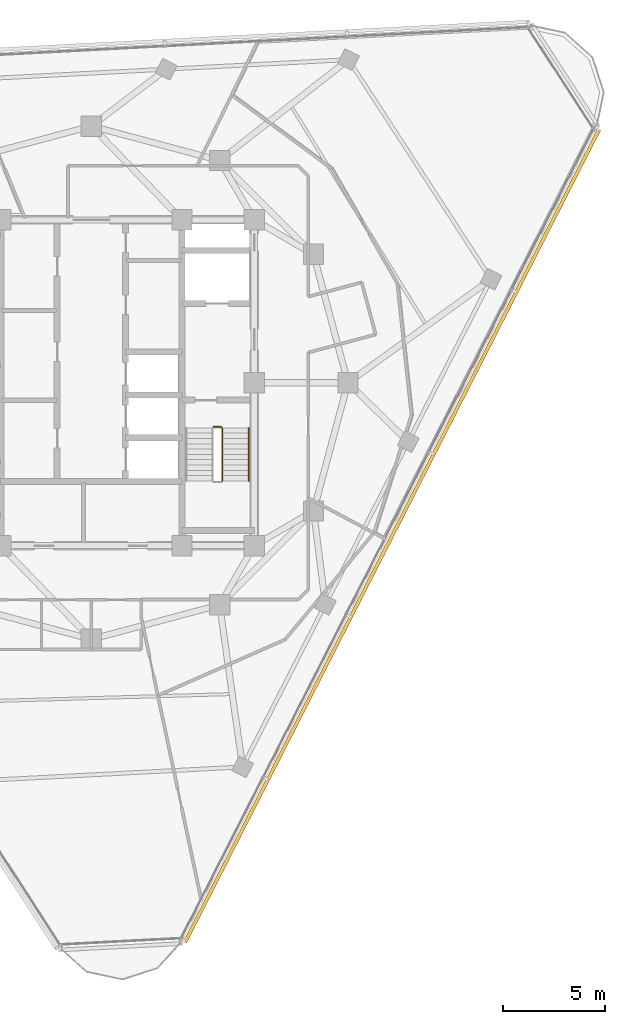
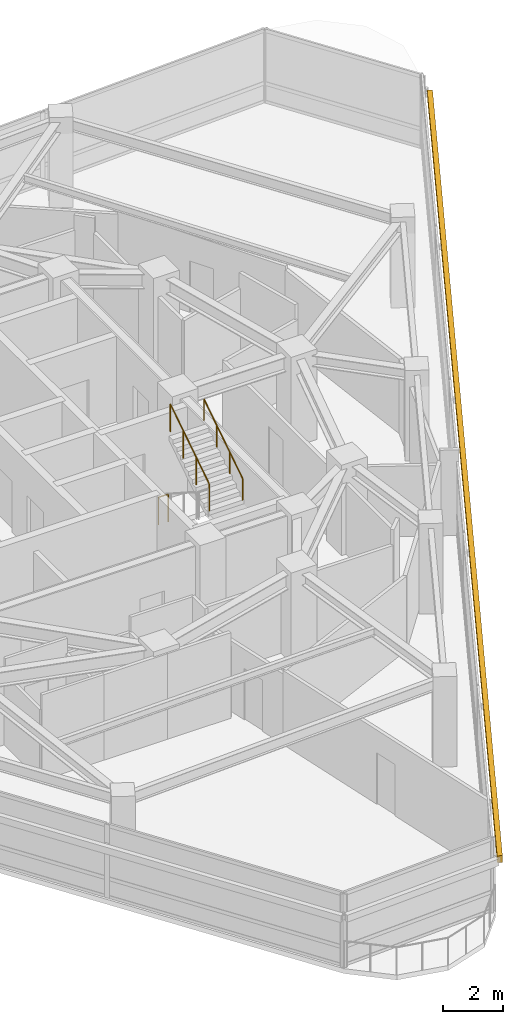
# One storey, part 13 of 15: 3 railings, 1 shading device.
"""IFC4 building model written with IfcOpenShell, lengths in metres."""

import ifcopenshell
import ifcopenshell.guid

model = None  # the IFC model being written
_history = None  # IfcOwnerHistory: only IFC2X3 demands one
_inside = {}  # id of a spatial element -> (the spatial element, [elements in it])
_under = {}  # id of a project, library or spatial element -> (it, [spatial elements below it])
_declared = {}  # id of a project -> (the project, [libraries it declares])
_typed = {}  # id of a type object -> (the type object, [elements of that type])
_made_of = {}  # id of a material, layer set ... -> (it, [elements and type objects made of it])


def new_model(schema):
    """Start an empty IFC model of exactly this schema.

    Asked for "IFC4X3", IfcOpenShell would pick the latest addendum, in which some entities
    have other attributes; the version numbers below select the first issue.
    IFC2X3 requires an IfcOwnerHistory on every rooted entity: one is made here for all.
    """
    global model, _history
    if schema == "IFC4X3":
        model = ifcopenshell.file(schema_version=(4, 3, 0, 0))
    else:
        model = ifcopenshell.file(schema=schema)
    _inside.clear()
    _under.clear()
    _declared.clear()
    _typed.clear()
    _made_of.clear()
    _history = None
    if model.schema == "IFC2X3":
        org = make("IfcOrganization", Name="unknown")
        user = make(
            "IfcPersonAndOrganization",
            ThePerson=make("IfcPerson", FamilyName="unknown"),
            TheOrganization=org,
        )
        app = make(
            "IfcApplication",
            ApplicationDeveloper=org,
            Version="unknown",
            ApplicationFullName="unknown",
            ApplicationIdentifier="unknown",
        )
        _history = make(
            "IfcOwnerHistory",
            OwningUser=user,
            OwningApplication=app,
            ChangeAction="ADDED",
            CreationDate=0,
        )
    return model


def make(cls, **values):
    """One entity of the class cls with the attributes given. An attribute that is None is left unset."""
    return model.create_entity(
        cls, **{name: value for name, value in values.items() if value is not None}
    )


def rooted(cls, **values):
    """An entity with a GlobalId (a new one), such as an element, a storey or a relation."""
    return make(cls, GlobalId=ifcopenshell.guid.new(), OwnerHistory=_history, **values)


def si_unit(unit_type, name, prefix=None):
    """IfcSIUnit, for example si_unit("LENGTHUNIT", "METRE", prefix="MILLI")."""
    return make("IfcSIUnit", UnitType=unit_type, Prefix=prefix, Name=name)


def assignment(units):
    """IfcUnitAssignment: the units of a project."""
    return None if units is None else make("IfcUnitAssignment", Units=units)


def point(xyz):
    """IfcCartesianPoint."""
    return None if xyz is None else make("IfcCartesianPoint", Coordinates=xyz)


def direction(xyz):
    """IfcDirection."""
    return None if xyz is None else make("IfcDirection", DirectionRatios=xyz)


def frame(location, z_axis=None, x_axis=None):
    """IfcAxis2Placement3D, a coordinate frame: its origin and axes. An axis left out is left unset."""
    return make(
        "IfcAxis2Placement3D",
        Location=point(location),
        Axis=direction(z_axis),
        RefDirection=direction(x_axis),
    )


def frame_2d(location, x_axis=None):
    """IfcAxis2Placement2D, a coordinate frame in the plane: its origin and x axis."""
    return make(
        "IfcAxis2Placement2D", Location=point(location), RefDirection=direction(x_axis)
    )


def origin():
    """The frame at (0, 0, 0) with its axes left unset."""
    return frame((0.0, 0.0, 0.0))


def origin_2d():
    """The frame at (0, 0) in the plane with its x axis left unset."""
    return frame_2d((0.0, 0.0))


def place(relative_to, where):
    """IfcLocalPlacement: puts the frame where relative to a parent placement (None: the world)."""
    return make(
        "IfcLocalPlacement", PlacementRelTo=relative_to, RelativePlacement=where
    )


def context(
    kind, dimensions, precision=None, world=None, true_north=None, identifier=None
):
    """IfcGeometricRepresentationContext, for example the 3D "Model" context."""
    return make(
        "IfcGeometricRepresentationContext",
        ContextIdentifier=identifier,
        ContextType=kind,
        CoordinateSpaceDimension=dimensions,
        Precision=precision,
        WorldCoordinateSystem=world,
        TrueNorth=true_north,
    )


def subcontext(parent, identifier, kind, view, scale=None):
    """IfcGeometricRepresentationSubContext, for example "Body" below "Model"."""
    return make(
        "IfcGeometricRepresentationSubContext",
        ContextIdentifier=identifier,
        ContextType=kind,
        ParentContext=parent,
        TargetScale=scale,
        TargetView=view,
    )


def project(units=None, contexts=None):
    """IfcProject with its units and contexts."""
    return rooted(
        "IfcProject",
        Name="project",
        RepresentationContexts=contexts,
        UnitsInContext=assignment(units),
    )


def spatial(cls, under=None, at=None, **own):
    """A site, building, storey or space (cls), placed at a placement, below another one or the project."""
    s = rooted(cls, ObjectPlacement=at, **own)
    if under is not None:
        _under.setdefault(under.id(), (under, []))[1].append(s)
    return s


def profile(cls, at=None, kind="AREA", **sizes):
    """A parametric profile (cls). Its sizes go by their IFC names, for example OverallWidth=200.0."""
    return make(cls, ProfileType=kind, Position=at, **sizes)


def rectangle(**sizes):
    """IfcRectangleProfileDef."""
    return profile("IfcRectangleProfileDef", **sizes)


def circle(**sizes):
    """IfcCircleProfileDef."""
    return profile("IfcCircleProfileDef", **sizes)


def extrude(swept, where, along, depth):
    """IfcExtrudedAreaSolid: the profile swept, set in the frame where, extruded along a direction by depth."""
    return make(
        "IfcExtrudedAreaSolid",
        SweptArea=swept,
        Position=where,
        ExtrudedDirection=direction(along),
        Depth=depth,
    )


def shape(context_of_items, identifier, shape_type, items):
    """IfcShapeRepresentation: the items that make up one representation, for example the "Body"."""
    return make(
        "IfcShapeRepresentation",
        ContextOfItems=context_of_items,
        RepresentationIdentifier=identifier,
        RepresentationType=shape_type,
        Items=items,
    )


def material(Name=None, Category=None):
    """IfcMaterial."""
    return make("IfcMaterial", Name=Name, Category=Category)


def layer(
    of_material, thickness, ventilated=None, Name=None, Category=None, Priority=None
):
    """IfcMaterialLayer: one layer of a wall or slab, of a material (None: an air gap)."""
    return make(
        "IfcMaterialLayer",
        Material=of_material,
        LayerThickness=thickness,
        IsVentilated=ventilated,
        Name=Name,
        Category=Category,
        Priority=Priority,
    )


def layer_set(layers, Name=None):
    """IfcMaterialLayerSet."""
    return make("IfcMaterialLayerSet", MaterialLayers=layers, LayerSetName=Name)


def made_of(thing, what):
    """Note that an element or type object is made of a material, layer set ...; save() writes the relation."""
    if what is not None:
        _made_of.setdefault(what.id(), (what, []))[1].append(thing)
    return thing


def type_object(cls, material=None, **own):
    """A type object (cls), such as IfcWallType, which elements share."""
    return made_of(rooted(cls, **own), material)


def element(
    cls,
    number,
    at=None,
    inside=None,
    cuts=None,
    type_object=None,
    material=None,
    context=None,
    identifier="Body",
    shape_type=None,
    held_by="IfcProductDefinitionShape",
    body=None,
    shapes=None,
    **own,
):
    """One element of the class cls, such as IfcWall. Its Tag is "e" and its number.

    at: its placement. inside: the storey or other place that contains it. cuts: it is an
    opening in that element (IfcRelVoidsElement). A single representation is given by context,
    identifier, shape_type and body (its items); several are given by shapes. held_by: the class
    of the entity that holds the representations. save() writes the other relations.
    """
    e = rooted(cls, Tag="e%d" % number, ObjectPlacement=at, **own)
    if body is not None:
        shapes = [shape(context, identifier, shape_type, body)]
    if shapes is not None:
        e.Representation = make(held_by, Representations=shapes)
    if inside is not None:
        _inside.setdefault(inside.id(), (inside, []))[1].append(e)
    if cuts is not None:
        rooted(
            "IfcRelVoidsElement", RelatingBuildingElement=cuts, RelatedOpeningElement=e
        )
    if type_object is not None:
        _typed.setdefault(type_object.id(), (type_object, []))[1].append(e)
    return made_of(e, material)


def aggregate(whole, parts):
    """IfcRelAggregates: a whole, such as a stair, and the parts it consists of."""
    return rooted("IfcRelAggregates", RelatingObject=whole, RelatedObjects=parts)


def save(model, path):
    """Write the relations noted so far, then the file.

    IfcRelAggregates (storeys below a building ...), IfcRelContainedInSpatialStructure (elements
    in a storey), IfcRelDefinesByType, IfcRelAssociatesMaterial and IfcRelDeclares: one each for
    every whole, place, type object, material and project.
    """
    for whole, parts in _under.values():
        aggregate(whole, parts)
    for where, things in _inside.values():
        rooted(
            "IfcRelContainedInSpatialStructure",
            RelatedElements=things,
            RelatingStructure=where,
        )
    for kind, things in _typed.values():
        rooted("IfcRelDefinesByType", RelatedObjects=things, RelatingType=kind)
    for what, things in _made_of.values():
        rooted("IfcRelAssociatesMaterial", RelatedObjects=things, RelatingMaterial=what)
    for by, libraries in _declared.values():
        rooted("IfcRelDeclares", RelatingContext=by, RelatedDefinitions=libraries)
    model.write(path)


model = new_model("IFC4")

# Units and contexts
model_context = context("Model", 3, precision=1e-05, world=origin(), true_north=direction((0.0, 1.0)))
body_context = subcontext(model_context, "Body", "Model", "MODEL_VIEW")
ifc_project = project(units=[si_unit("LENGTHUNIT", "METRE"), si_unit("AREAUNIT", "SQUARE_METRE"), si_unit("VOLUMEUNIT", "CUBIC_METRE"), si_unit("PLANEANGLEUNIT", "RADIAN"), si_unit("MASSUNIT", "GRAM", prefix="KILO")], contexts=[model_context])

# Site, building, storey
site_placement = place(None, origin())
site = spatial("IfcSite", under=ifc_project, at=site_placement, CompositionType="ELEMENT")
building_placement = place(site_placement, origin())
building = spatial("IfcBuilding", under=site, at=building_placement, Name="Terralouvre Media Tower", CompositionType="ELEMENT")
storey_placement = place(building_placement, frame((0.0, 0.0, 259.60009765625)))
storey = spatial("IfcBuildingStorey", under=building, at=storey_placement, Name="L67", CompositionType="ELEMENT", Elevation=259.60009765625)

# Railings
ifc_material_1 = material(Name="Stainless steel 316 handrail and balustrade", Category="steel")
ifc_layer_1 = layer(ifc_material_1, 0.050048828125, Name="Stair Flight Wall Handrail HR-INT1")
ifc_layer_set_1 = layer_set([ifc_layer_1], Name="Stainless steel 316 handrail and balustrade")
railing_type_1 = type_object("IfcRailingType", Name="Stair Flight Wall Handrail HR-INT1", PredefinedType="HANDRAIL", material=ifc_layer_set_1)
railing_1_placement = place(storey_placement, frame((7.72998046875, -4.820068359375, 2.01806640625)))
element("IfcRailing", 1, at=railing_1_placement, inside=storey, type_object=railing_type_1, Name="L67 ST-02 stair handrail 2", PredefinedType="HANDRAIL", context=body_context, shape_type="SweptSolid", body=[
    extrude(circle(Radius=0.02392578125, at=origin_2d()), frame((0.0, 0.0, 0.8759765625), z_axis=(0.0, 0.839648411786, 0.543130320075), x_axis=(-1.0, 0.0, 0.0)), (0.0, 0.0, 1.0), 3.0966796875),
    extrude(circle(Radius=0.02099609375, at=origin_2d()), origin(), (0.0, 0.0, 1.0), 0.851806640625),
    extrude(circle(Radius=0.02099609375, at=origin_2d()), frame((0.0, 0.86669921875, 0.560546875)), (0.0, 0.0, 1.0), 0.851806640625),
    extrude(circle(Radius=0.02099609375, at=origin_2d()), frame((0.0, 1.7333984375, 1.121337890625)), (0.0, 0.0, 1.0), 0.851806640625),
    extrude(circle(Radius=0.02099609375, at=origin_2d()), frame((0.0, 2.60009765625, 1.681884765625)), (0.0, 0.0, 1.0), 0.851806640625),
])
ifc_material_2 = material(Name="Stainless steel 316 handrail and balustrade", Category="steel")
ifc_layer_2 = layer(ifc_material_2, 0.050048828125, Name="Stairwell Safety Guardrail GR-INT1")
ifc_layer_set_2 = layer_set([ifc_layer_2], Name="Stainless steel 316 handrail and balustrade")
railing_type_2 = type_object("IfcRailingType", Name="Stairwell Safety Guardrail GR-INT1", PredefinedType="GUARDRAIL", material=ifc_layer_set_2)
railing_2_placement = place(storey_placement, frame((6.429931640625, -4.820068359375, 2.01806640625)))
element("IfcRailing", 2, at=railing_2_placement, inside=storey, type_object=railing_type_2, Name="L67 ST-02 stair guard 3", PredefinedType="GUARDRAIL", context=body_context, shape_type="SweptSolid", body=[
    extrude(circle(Radius=0.02392578125, at=origin_2d()), frame((0.0, 0.0, 1.1259765625), z_axis=(0.0, 0.839648411786, 0.543130320075), x_axis=(-1.0, 0.0, 0.0)), (0.0, 0.0, 1.0), 3.0966796875),
    extrude(circle(Radius=0.02099609375, at=origin_2d()), origin(), (0.0, 0.0, 1.0), 1.101806640625),
    extrude(circle(Radius=0.02099609375, at=origin_2d()), frame((0.0, 0.86669921875, 0.560546875)), (0.0, 0.0, 1.0), 1.101806640625),
    extrude(circle(Radius=0.02099609375, at=origin_2d()), frame((0.0, 1.7333984375, 1.121337890625)), (0.0, 0.0, 1.0), 1.101806640625),
    extrude(circle(Radius=0.02099609375, at=origin_2d()), frame((0.0, 2.60009765625, 1.681884765625)), (0.0, 0.0, 1.0), 1.101806640625),
])
railing_3_placement = place(storey_placement, frame((6.0, -2.169921875, 0.0)))
element("IfcRailing", 3, at=railing_3_placement, inside=storey, type_object=railing_type_2, Name="L67 ST-02 stair guard 4", PredefinedType="GUARDRAIL", context=body_context, shape_type="SweptSolid", body=[
    extrude(circle(Radius=0.02392578125, at=origin_2d()), frame((0.0, 0.0, 1.1259765625), z_axis=(1.0, 0.0, 0.0), x_axis=(0.0, 1.0, 0.0)), (0.0, 0.0, 1.0), 0.3798828125),
    extrude(circle(Radius=0.02099609375, at=origin_2d()), origin(), (0.0, 0.0, 1.0), 1.101806640625),
    extrude(circle(Radius=0.02099609375, at=origin_2d()), frame((0.3798828125, 0.0, 0.0)), (0.0, 0.0, 1.0), 1.101806640625),
])

# Shading device
ifc_material_3 = material(Name="Extruded terracotta baguette sunshade louvres", Category="masonry")
shading_device_type = type_object("IfcShadingDeviceType", Name="Terracotta Baguette Sunshade Louvre Screen TB-LV1", PredefinedType="USERDEFINED", material=ifc_material_3)
shading_device_placement = place(storey_placement, frame((14.766357421875, -7.52392578125, 2.02392578125), z_axis=(0.0, 0.0, 1.0), x_axis=(0.45399044259, 0.891006553308, 0.0)))
element("IfcShadingDevice", 4, at=shading_device_placement, inside=storey, type_object=shading_device_type, Name="CW-L67-F0 Terracotta Baguette Sunshade Louvre", ObjectType="BAGUETTE", PredefinedType="USERDEFINED", context=body_context, shape_type="SweptSolid", body=[
    extrude(rectangle(XDim=44.800048828125, YDim=0.179931640625, at=origin_2d()), origin(), (0.0, 0.0, 1.0), 0.280029296875),
])

save(model, "model.ifc")
